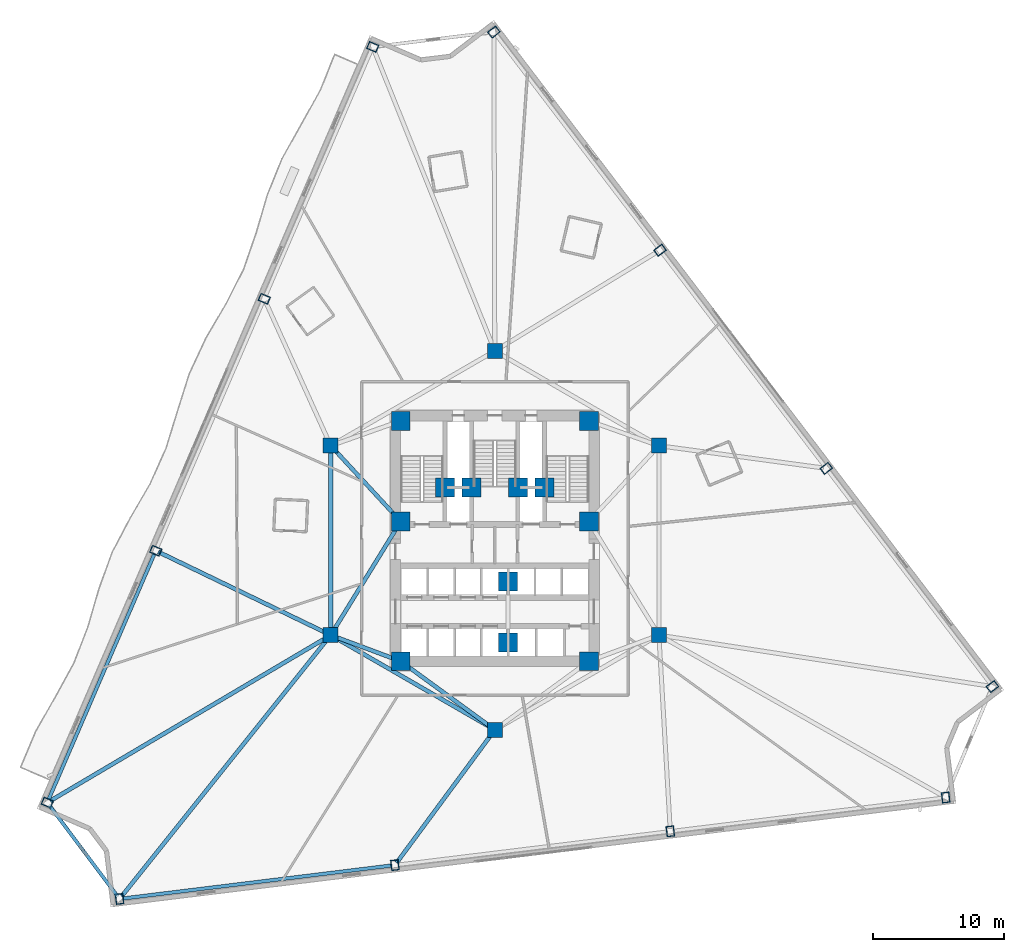
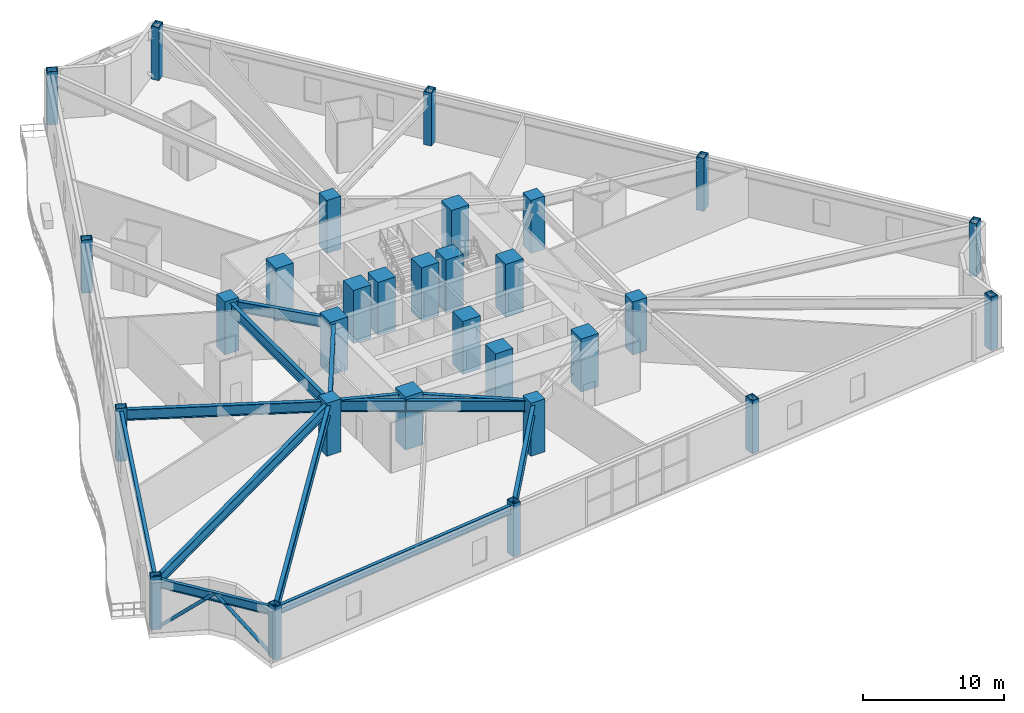
# One storey, part 1 of 21: 30 columns, 13 beams, 2 members.
"""IFC4 building model written with IfcOpenShell, lengths in metres."""

from ifc_helpers import new_model, si_unit, direction, frame, origin, origin_2d, place, context, subcontext, project, spatial, rectangle, hollow_rectangle, hollow_circle, i_section, extrude, material, material_profile, profile_set, type_object, element, save


model = new_model("IFC4")

# Units and contexts
model_context = context("Model", 3, precision=1e-05, world=origin(), true_north=direction((0.0, 1.0)))
body_context = subcontext(model_context, "Body", "Model", "MODEL_VIEW")
ifc_project = project(units=[si_unit("LENGTHUNIT", "METRE"), si_unit("AREAUNIT", "SQUARE_METRE"), si_unit("VOLUMEUNIT", "CUBIC_METRE"), si_unit("PLANEANGLEUNIT", "RADIAN"), si_unit("MASSUNIT", "GRAM", prefix="KILO")], contexts=[model_context])

# Site, building, storey
site_placement = place(None, origin())
site = spatial("IfcSite", under=ifc_project, at=site_placement, CompositionType="ELEMENT")
building_placement = place(site_placement, origin())
building = spatial("IfcBuilding", under=site, at=building_placement, Name="Apsidion Concourse Tower", CompositionType="ELEMENT")
storey_placement = place(building_placement, frame((0.0, 0.0, 62.39990234375)))
storey = spatial("IfcBuildingStorey", under=building, at=storey_placement, Name="L13", CompositionType="ELEMENT", Elevation=62.39990234375)

# Columns
ifc_material_1 = material(Name="Structural steel ASTM A572 Grade 50", Category="steel")
ifc_material_profile_1 = material_profile(ifc_material_1, hollow_rectangle(XDim=0.60009765625, YDim=0.800048828125, WallThickness=0.050048828125, at=origin_2d()), Name="BOX800X600X50")
ifc_profile_set_1 = profile_set([ifc_material_profile_1], Name="Structural steel ASTM A572 Grade 50")
column_type_1 = type_object("IfcColumnType", Name="COL-BOX-800", PredefinedType="COLUMN", material=ifc_profile_set_1)
for number, where, z_axis, x_axis, name in (
    (1, (-9.34423828125, 37.77685546875, 0.0), (0.0, 0.0, 1.0), (0.395545502563, 0.918446381343, 0.0), "L13 Rotated Perimeter Column PC01"),
    (2, (-17.64794921875, 18.49462890625, 0.0), (0.0, 0.0, 1.0), (0.395545502563, 0.918446381343, 0.0), "L13 Rotated Perimeter Column PC02"),
    (3, (-25.95166015625, -0.787353515625, 0.0), (0.0, 0.0, 1.0), (0.395545502563, 0.918446381343, 0.0), "L13 Rotated Perimeter Column PC03"),
    (4, (-34.25537109375, -20.069580078125, 0.0), (0.0, 0.0, 1.0), (0.395545502563, 0.918446381343, 0.0), "L13 Rotated Perimeter Column PC04"),
    (5, (-28.72802734375, -27.4443359375, 0.0), (0.0, 0.0, 1.0), (0.992546151641, 0.121869343405, 0.0), "L13 Rotated Perimeter Column PC05"),
    (6, (-7.647216796875, -24.85595703125, 0.0), (0.0, 0.0, 1.0), (0.992546151641, 0.121869343405, 0.0), "L13 Rotated Perimeter Column PC06"),
    (7, (13.433349609375, -22.267578125, 0.0), (0.0, 0.0, 1.0), (0.992546151641, 0.121869343405, 0.0), "L13 Rotated Perimeter Column PC07"),
    (8, (34.51416015625, -19.67919921875, 0.0), (0.0, 0.0, 1.0), (0.992546151641, 0.121869343405, 0.0), "L13 Rotated Perimeter Column PC08"),
    (9, (38.093017578125, -11.186279296875, 0.0), (0.0, 0.0, 1.0), (-0.605988400266, 0.795473480855, 0.0), "L13 Rotated Perimeter Column PC09"),
    (10, (25.371337890625, 5.514404296875, 0.0), (0.0, 0.0, 1.0), (-0.605988400266, 0.795473480855, 0.0), "L13 Rotated Perimeter Column PC10"),
    (11, (12.6494140625, 22.214599609375, 0.0), (0.0, 0.0, 1.0), (-0.605988400266, 0.795473480855, 0.0), "L13 Rotated Perimeter Column PC11"),
    (12, (-0.072265625, 38.915283203125, 0.0), (0.0, 0.0, 1.0), (-0.605988400266, 0.795473480855, 0.0), "L13 Rotated Perimeter Column PC12"),
):
    element("IfcColumn", number, at=place(storey_placement, frame(where, z_axis=z_axis, x_axis=x_axis)), inside=storey, type_object=column_type_1, Name=name, PredefinedType="COLUMN", context=body_context, shape_type="SweptSolid", body=[
        extrude(hollow_rectangle(XDim=0.60009765625, YDim=0.800048828125, WallThickness=0.050048828125, at=origin_2d()), origin(), (0.0, 0.0, 1.0), 4.60009765625),
    ])
ifc_material_2 = material(Name="Concrete C50/60", Category="concrete")
ifc_material_profile_2 = material_profile(ifc_material_2, rectangle(XDim=1.14990234375, YDim=1.14990234375, at=origin_2d()), Name="RC 1150x1150")
ifc_profile_set_2 = profile_set([ifc_material_profile_2], Name="Concrete C50/60")
column_type_2 = type_object("IfcColumnType", Name="COL-RC-1150", PredefinedType="COLUMN", material=ifc_profile_set_2)
for number, where, z_axis, x_axis, name in (
    (13, (-12.56005859375, -7.25, 0.0), (0.0, 0.0, 1.0), (1.0, 0.0, 0.0), "L13 Interior Spine Column IC1"),
    (14, (12.56005859375, -7.25, 0.0), (0.0, 0.0, 1.0), (1.0, 0.0, 0.0), "L13 Interior Spine Column IC2"),
    (15, (12.56005859375, 7.25, 0.0), (0.0, 0.0, 1.0), (1.0, 0.0, 0.0), "L13 Interior Spine Column IC3"),
    (16, (0.0, 14.5, 0.0), (0.0, 0.0, 1.0), (1.0, 0.0, 0.0), "L13 Interior Spine Column IC4"),
    (17, (-12.56005859375, 7.25, 0.0), (0.0, 0.0, 1.0), (1.0, 0.0, 0.0), "L13 Interior Spine Column IC5"),
    (18, (0.0, -14.5, 0.0), (0.0, 0.0, 1.0), (1.0, 0.0, 0.0), "L13 Interior Spine Column IC6"),
):
    element("IfcColumn", number, at=place(storey_placement, frame(where, z_axis=z_axis, x_axis=x_axis)), inside=storey, type_object=column_type_2, Name=name, PredefinedType="COLUMN", context=body_context, shape_type="SweptSolid", body=[
        extrude(rectangle(XDim=1.14990234375, YDim=1.14990234375, at=origin_2d()), origin(), (0.0, 0.0, 1.0), 4.60009765625),
    ])
ifc_material_3 = material(Name="Concrete C60/75", Category="concrete")
ifc_material_profile_3 = material_profile(ifc_material_3, rectangle(XDim=1.449951171875, YDim=1.449951171875, at=origin_2d()), Name="RC 1450x1450")
ifc_profile_set_3 = profile_set([ifc_material_profile_3], Name="Concrete C60/75")
column_type_3 = type_object("IfcColumnType", Name="COL-RC-1450", PredefinedType="COLUMN", material=ifc_profile_set_3)
for number, where, z_axis, x_axis, name in (
    (19, (-7.199951171875, -9.25, 0.0), (0.0, 0.0, 1.0), (1.0, 0.0, 0.0), "L13 Core Super-Column SC1"),
    (20, (7.199951171875, -9.25, 0.0), (0.0, 0.0, 1.0), (1.0, 0.0, 0.0), "L13 Core Super-Column SC2"),
    (21, (7.199951171875, 1.449951171875, 0.0), (0.0, 0.0, 1.0), (1.0, 0.0, 0.0), "L13 Core Super-Column SC3"),
    (22, (7.199951171875, 9.14990234375, 0.0), (0.0, 0.0, 1.0), (1.0, 0.0, 0.0), "L13 Core Super-Column SC4"),
    (23, (-7.199951171875, 9.14990234375, 0.0), (0.0, 0.0, 1.0), (1.0, 0.0, 0.0), "L13 Core Super-Column SC5"),
    (24, (-7.199951171875, 1.449951171875, 0.0), (0.0, 0.0, 1.0), (1.0, 0.0, 0.0), "L13 Core Super-Column SC6"),
    (25, (-3.800048828125, 4.050048828125, 0.0), (0.0, 0.0, 1.0), (1.0, 0.0, 0.0), "L13 Core Super-Column CC1"),
    (26, (3.800048828125, 4.050048828125, 0.0), (0.0, 0.0, 1.0), (1.0, 0.0, 0.0), "L13 Core Super-Column CC2"),
    (27, (-1.77490234375, 4.050048828125, 0.0), (0.0, 0.0, 1.0), (1.0, 0.0, 0.0), "L13 Core Super-Column CC3"),
    (28, (1.77490234375, 4.050048828125, 0.0), (0.0, 0.0, 1.0), (1.0, 0.0, 0.0), "L13 Core Super-Column CC4"),
    (29, (1.02490234375, -3.14990234375, 0.0), (0.0, 0.0, 1.0), (1.0, 0.0, 0.0), "L13 Core Super-Column CC5"),
    (30, (1.02490234375, -7.800048828125, 0.0), (0.0, 0.0, 1.0), (1.0, 0.0, 0.0), "L13 Core Super-Column CC6"),
):
    element("IfcColumn", number, at=place(storey_placement, frame(where, z_axis=z_axis, x_axis=x_axis)), inside=storey, type_object=column_type_3, Name=name, PredefinedType="COLUMN", context=body_context, shape_type="SweptSolid", body=[
        extrude(rectangle(XDim=1.449951171875, YDim=1.449951171875, at=origin_2d()), origin(), (0.0, 0.0, 1.0), 4.60009765625),
    ])

# Beams
ifc_material_4 = material(Name="Structural steel ASTM A992 Grade 50", Category="steel")
ifc_material_profile_4 = material_profile(ifc_material_4, i_section(OverallWidth=0.31005859375, OverallDepth=0.931884765625, WebThickness=0.02099609375, FlangeThickness=0.034423828125, at=origin_2d()), Name="W36X210")
ifc_profile_set_4 = profile_set([ifc_material_profile_4], Name="Structural steel ASTM A992 Grade 50")
beam_type_1 = type_object("IfcBeamType", Name="BM-G-W36", PredefinedType="USERDEFINED", material=ifc_profile_set_4)
beam_1_placement = place(storey_placement, frame((-12.185302734375, -7.389892578125, 3.884033203125), z_axis=(0.936913021145, -0.349562570664, 0.0), x_axis=(0.349562570664, 0.936913021145, 0.0)))
element("IfcBeam", 31, at=beam_1_placement, inside=storey, type_object=beam_type_1, Name="L13 Core Coupling Girder IC1-SC1", ObjectType="GIRDER", PredefinedType="USERDEFINED", context=body_context, shape_type="SweptSolid", body=[
    extrude(i_section(OverallWidth=0.31005859375, OverallDepth=0.931884765625, WebThickness=0.02099609375, FlangeThickness=0.034423828125, at=origin_2d()), origin(), (0.0, 0.0, 1.0), 4.921142578125),
])
beam_2_placement = place(storey_placement, frame((-12.35009765625, -6.909423828125, 3.884033203125), z_axis=(0.524524009763, 0.851395656074, 0.0), x_axis=(-0.851395656074, 0.524524009763, 0.0)))
element("IfcBeam", 32, at=beam_2_placement, inside=storey, type_object=beam_type_1, Name="L13 Core Coupling Girder IC1-SC6", ObjectType="GIRDER", PredefinedType="USERDEFINED", context=body_context, shape_type="SweptSolid", body=[
    extrude(i_section(OverallWidth=0.31005859375, OverallDepth=0.931884765625, WebThickness=0.02099609375, FlangeThickness=0.034423828125, at=origin_2d()), origin(), (0.0, 0.0, 1.0), 9.41845703125),
])
beam_3_placement = place(storey_placement, frame((-12.28857421875, 6.956298828125, 3.884033203125), z_axis=(0.678712876106, -0.73440372535, 0.0), x_axis=(0.73440372535, 0.678712876106, 0.0)))
element("IfcBeam", 33, at=beam_3_placement, inside=storey, type_object=beam_type_1, Name="L13 Core Coupling Girder IC5-SC6", ObjectType="GIRDER", PredefinedType="USERDEFINED", context=body_context, shape_type="SweptSolid", body=[
    extrude(i_section(OverallWidth=0.31005859375, OverallDepth=0.931884765625, WebThickness=0.02099609375, FlangeThickness=0.034423828125, at=origin_2d()), origin(), (0.0, 0.0, 1.0), 7.097412109375),
])
beam_4_placement = place(storey_placement, frame((-0.3232421875, -14.264404296875, 3.884033203125), z_axis=(-0.807993498909, 0.589191399905, 0.0), x_axis=(-0.589191399905, -0.807993498909, 0.0)))
element("IfcBeam", 34, at=beam_4_placement, inside=storey, type_object=beam_type_1, Name="L13 Core Coupling Girder IC6-SC1", ObjectType="GIRDER", PredefinedType="USERDEFINED", context=body_context, shape_type="SweptSolid", body=[
    extrude(i_section(OverallWidth=0.31005859375, OverallDepth=0.931884765625, WebThickness=0.02099609375, FlangeThickness=0.034423828125, at=origin_2d()), origin(), (0.0, 0.0, 1.0), 8.11083984375),
])
beam_5_placement = place(storey_placement, frame((-12.56005859375, -6.85009765625, 3.884033203125), z_axis=(0.0, 1.0, 0.0), x_axis=(-1.0, 0.0, 0.0)))
element("IfcBeam", 35, at=beam_5_placement, inside=storey, type_object=beam_type_1, Name="L13 Core Coupling Girder IC1-IC5", ObjectType="GIRDER", PredefinedType="USERDEFINED", context=body_context, shape_type="SweptSolid", body=[
    extrude(i_section(OverallWidth=0.31005859375, OverallDepth=0.931884765625, WebThickness=0.02099609375, FlangeThickness=0.034423828125, at=origin_2d()), origin(), (0.0, 0.0, 1.0), 13.7001953125),
])
beam_6_placement = place(storey_placement, frame((-0.346435546875, -14.300048828125, 3.884033203125), z_axis=(-0.866070471464, 0.499921932364, 0.0), x_axis=(-0.499921932364, -0.866070471464, 0.0)))
element("IfcBeam", 36, at=beam_6_placement, inside=storey, type_object=beam_type_1, Name="L13 Core Coupling Girder IC6-IC1", ObjectType="GIRDER", PredefinedType="USERDEFINED", context=body_context, shape_type="SweptSolid", body=[
    extrude(i_section(OverallWidth=0.31005859375, OverallDepth=0.931884765625, WebThickness=0.02099609375, FlangeThickness=0.034423828125, at=origin_2d()), origin(), (0.0, 0.0, 1.0), 13.702392578125),
])
beam_7_placement = place(storey_placement, frame((-12.758056640625, -7.154296875, 3.884033203125), z_axis=(-0.900619466143, 0.434608533286, 0.0), x_axis=(-0.434608533286, -0.900619466143, 0.0)))
element("IfcBeam", 37, at=beam_7_placement, inside=storey, type_object=beam_type_1, Name="L13 Radial Floor Girder RAD-03", ObjectType="GIRDER", PredefinedType="USERDEFINED", context=body_context, shape_type="SweptSolid", body=[
    extrude(i_section(OverallWidth=0.31005859375, OverallDepth=0.931884765625, WebThickness=0.02099609375, FlangeThickness=0.034423828125, at=origin_2d()), origin(), (0.0, 0.0, 1.0), 14.4296875),
])
beam_8_placement = place(storey_placement, frame((-12.74951171875, -7.36181640625, 3.884033203125), z_axis=(-0.860932809824, -0.508718681561, 0.0), x_axis=(0.508718681561, -0.860932809824, 0.0)))
element("IfcBeam", 38, at=beam_8_placement, inside=storey, type_object=beam_type_1, Name="L13 Radial Floor Girder RAD-04", ObjectType="GIRDER", PredefinedType="USERDEFINED", context=body_context, shape_type="SweptSolid", body=[
    extrude(i_section(OverallWidth=0.31005859375, OverallDepth=0.931884765625, WebThickness=0.02099609375, FlangeThickness=0.034423828125, at=origin_2d()), origin(), (0.0, 0.0, 1.0), 24.759765625),
])
beam_9_placement = place(storey_placement, frame((-12.697509765625, -7.421630859375, 3.884033203125), z_axis=(-0.624987708563, -0.780634590667, 0.0), x_axis=(0.780634590667, -0.624987708563, 0.0)))
element("IfcBeam", 39, at=beam_9_placement, inside=storey, type_object=beam_type_1, Name="L13 Radial Floor Girder RAD-05", ObjectType="GIRDER", PredefinedType="USERDEFINED", context=body_context, shape_type="SweptSolid", body=[
    extrude(i_section(OverallWidth=0.31005859375, OverallDepth=0.931884765625, WebThickness=0.02099609375, FlangeThickness=0.034423828125, at=origin_2d()), origin(), (0.0, 0.0, 1.0), 25.429443359375),
])
beam_10_placement = place(storey_placement, frame((-0.130615234375, -14.677001953125, 3.884033203125), z_axis=(-0.594039313688, -0.804436009757, 0.0), x_axis=(0.804436009757, -0.594039313688, 0.0)))
element("IfcBeam", 40, at=beam_10_placement, inside=storey, type_object=beam_type_1, Name="L13 Radial Floor Girder RAD-06", ObjectType="GIRDER", PredefinedType="USERDEFINED", context=body_context, shape_type="SweptSolid", body=[
    extrude(i_section(OverallWidth=0.31005859375, OverallDepth=0.931884765625, WebThickness=0.02099609375, FlangeThickness=0.034423828125, at=origin_2d()), origin(), (0.0, 0.0, 1.0), 12.43359375),
])
ifc_material_profile_5 = material_profile(ifc_material_4, i_section(OverallWidth=0.26806640625, OverallDepth=0.77001953125, WebThickness=0.015625, FlangeThickness=0.025390625, at=origin_2d()), Name="W30X132")
ifc_profile_set_5 = profile_set([ifc_material_profile_5], Name="Structural steel ASTM A992 Grade 50")
beam_type_2 = type_object("IfcBeamType", Name="BM-SP-W30", PredefinedType="SPANDREL", material=ifc_profile_set_5)
beam_11_placement = place(storey_placement, frame((-26.038818359375, -0.989501953125, 3.965087890625), z_axis=(-0.395525708749, -0.918454905653, 0.0), x_axis=(0.918454905653, -0.395525708749, 0.0)))
element("IfcBeam", 41, at=beam_11_placement, inside=storey, type_object=beam_type_2, Name="L13 Perimeter Spandrel Girder SP-03", PredefinedType="SPANDREL", context=body_context, shape_type="SweptSolid", body=[
    extrude(i_section(OverallWidth=0.26806640625, OverallDepth=0.77001953125, WebThickness=0.015625, FlangeThickness=0.025390625, at=origin_2d()), origin(), (0.0, 0.0, 1.0), 20.553955078125),
])
beam_12_placement = place(storey_placement, frame((-34.12353515625, -20.24560546875, 3.965087890625), z_axis=(0.59973736177, -0.800196911327, 0.0), x_axis=(0.800196911327, 0.59973736177, 0.0)))
element("IfcBeam", 42, at=beam_12_placement, inside=storey, type_object=beam_type_2, Name="L13 Perimeter Spandrel Girder SP-04", PredefinedType="SPANDREL", context=body_context, shape_type="SweptSolid", body=[
    extrude(i_section(OverallWidth=0.26806640625, OverallDepth=0.77001953125, WebThickness=0.015625, FlangeThickness=0.025390625, at=origin_2d()), origin(), (0.0, 0.0, 1.0), 8.776123046875),
])
beam_13_placement = place(storey_placement, frame((-28.509765625, -27.41748046875, 3.965087890625), z_axis=(0.992546743565, 0.121864522478, 0.0), x_axis=(-0.121864522478, 0.992546743565, 0.0)))
element("IfcBeam", 43, at=beam_13_placement, inside=storey, type_object=beam_type_2, Name="L13 Perimeter Spandrel Girder SP-05", PredefinedType="SPANDREL", context=body_context, shape_type="SweptSolid", body=[
    extrude(i_section(OverallWidth=0.26806640625, OverallDepth=0.77001953125, WebThickness=0.015625, FlangeThickness=0.025390625, at=origin_2d()), origin(), (0.0, 0.0, 1.0), 20.799072265625),
])

# Members
ifc_material_5 = material(Name="Structural steel ASTM A500 Grade C", Category="steel")
ifc_material_profile_6 = material_profile(ifc_material_5, hollow_circle(Radius=0.136474609375, WallThickness=0.01611328125, at=origin_2d()), Name="CHS273X16")
ifc_profile_set_6 = profile_set([ifc_material_profile_6], Name="Structural steel ASTM A500 Grade C")
member_type = type_object("IfcMemberType", Name="MB-BR-CHS273", PredefinedType="BRACE", material=ifc_profile_set_6)
member_1_placement = place(storey_placement, frame((-34.1953125, -20.1494140625, 0.0), z_axis=(0.436376015032, -0.582255011568, 0.68597017064), x_axis=(0.80020791069, 0.599722685638, 0.0)))
element("IfcMember", 44, at=member_1_placement, inside=storey, type_object=member_type, Name="L13 Corner Step-Transfer Chevron Brace KN-1-1", PredefinedType="BRACE", context=body_context, shape_type="SweptSolid", body=[
    extrude(hollow_circle(Radius=0.136474609375, WallThickness=0.01611328125, at=origin_2d()), origin(), (0.0, 0.0, 1.0), 6.195556640625),
])
member_2_placement = place(storey_placement, frame((-28.7880859375, -27.364501953125, 0.0), z_axis=(-0.436366002816, 0.582281056855, 0.685954431733), x_axis=(-0.800227387539, -0.599696696867, 0.0)))
element("IfcMember", 45, at=member_2_placement, inside=storey, type_object=member_type, Name="L13 Corner Step-Transfer Chevron Brace KN-1-2", PredefinedType="BRACE", context=body_context, shape_type="SweptSolid", body=[
    extrude(hollow_circle(Radius=0.136474609375, WallThickness=0.01611328125, at=origin_2d()), origin(), (0.0, 0.0, 1.0), 6.19580078125),
])

save(model, "model.ifc")
